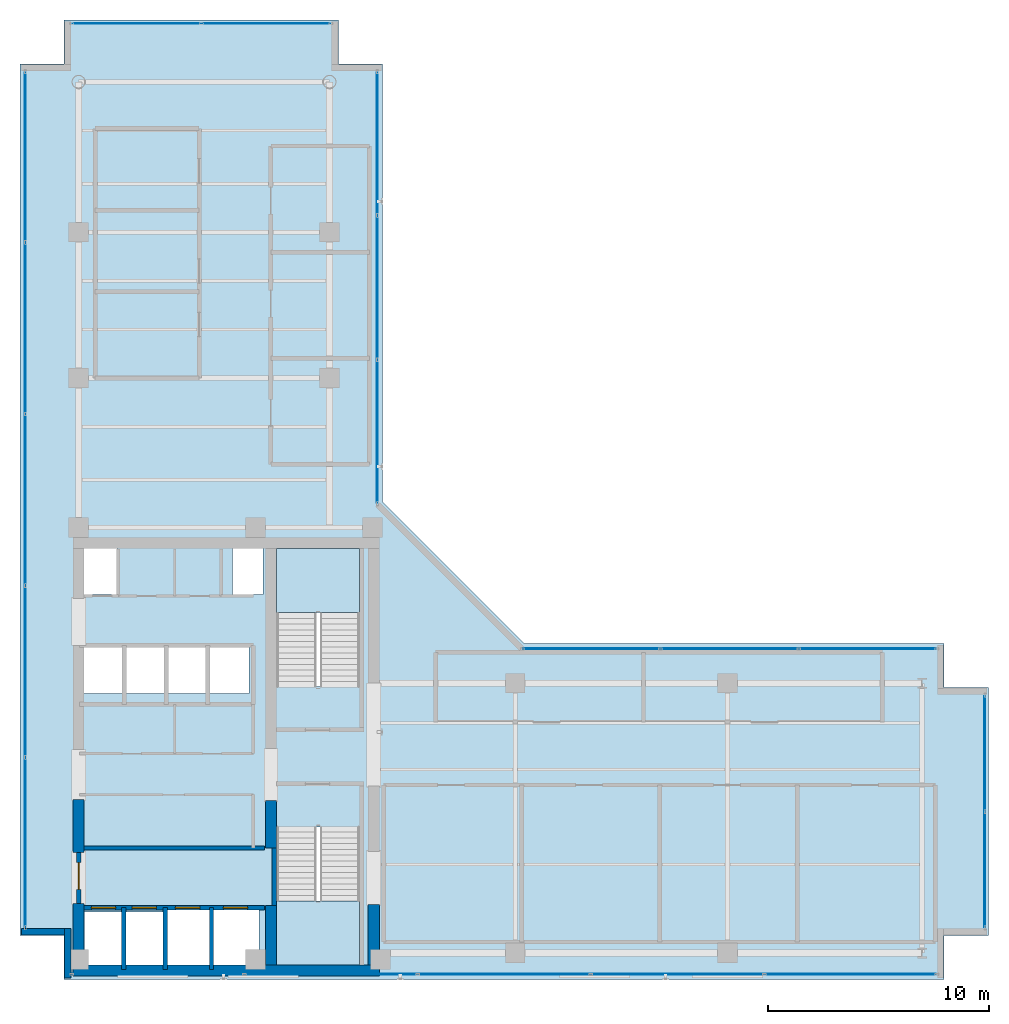
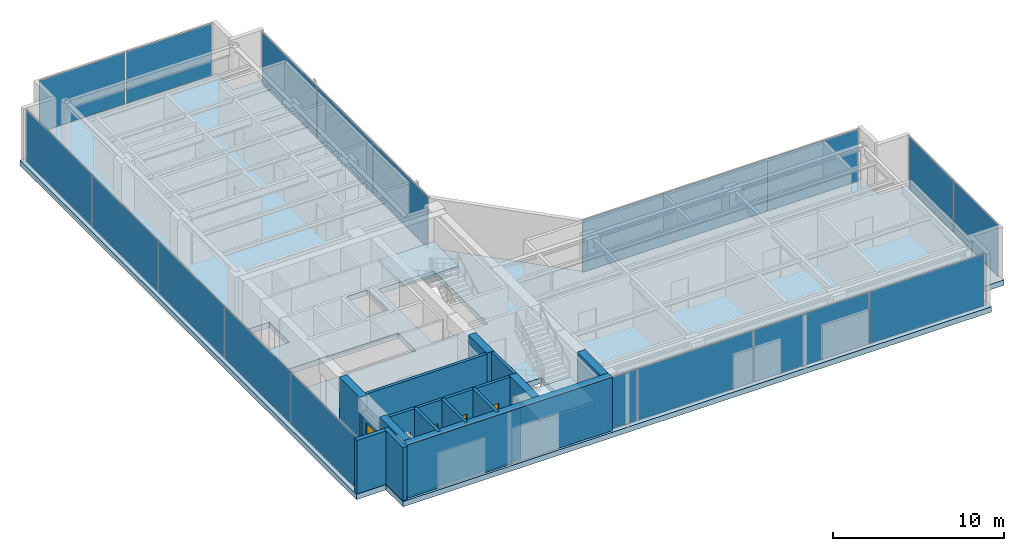
# One storey, part 19 of 24: 20 plates, 15 walls, 5 doors, 3 slabs, 5 openings, 8 elements without a shape of their own.
"""IFC4 building model written with IfcOpenShell, lengths in metres."""

from ifc_helpers import new_model, si_unit, direction, frame, frame_2d, origin, origin_with_axes, origin_2d, place, context, subcontext, project, spatial, polyline, rectangle, outline, extrude, source, transform, mapped, material, layer, layer_set, type_object, element, fill, aggregate, save


model = new_model("IFC4")

# Units and contexts
model_context = context("Model", 3, precision=1e-05, world=origin(), true_north=direction((0.0, 1.0)))
body_context = subcontext(model_context, "Body", "Model", "MODEL_VIEW")
ifc_project = project(units=[si_unit("LENGTHUNIT", "METRE"), si_unit("AREAUNIT", "SQUARE_METRE"), si_unit("VOLUMEUNIT", "CUBIC_METRE"), si_unit("PLANEANGLEUNIT", "RADIAN"), si_unit("MASSUNIT", "GRAM", prefix="KILO")], contexts=[model_context])

# Site, building, storey
site_placement = place(None, origin())
site = spatial("IfcSite", under=ifc_project, at=site_placement, CompositionType="ELEMENT")
building_placement = place(site_placement, origin())
building = spatial("IfcBuilding", under=site, at=building_placement, Name="Kolvaren Waterfront Exchange", CompositionType="ELEMENT")
storey_placement = place(building_placement, frame((0.0, 0.0, 356.199951171875)))
storey = spatial("IfcBuildingStorey", under=building, at=storey_placement, Name="L91", CompositionType="ELEMENT", Elevation=356.199951171875)

# Stair, slab
ifc_material_1 = material(Name="Concrete C40/50", Category="concrete")
stair_type = type_object("IfcStairType", Name="ARC-STAIR-4200", PredefinedType="HALF_TURN_STAIR", material=ifc_material_1)
stair_1_placement = place(storey_placement, origin())
stair_1 = element("IfcStair", 1, at=stair_1_placement, inside=storey, type_object=stair_type, Name="L91 Smoke-proof exit stair ST1", PredefinedType="HALF_TURN_STAIR")
ifc_layer_1 = layer(ifc_material_1, 0.199951171875, Name="Concrete C40/50")
ifc_layer_set_1 = layer_set([ifc_layer_1], Name="Concrete C40/50")
slab_type_1 = type_object("IfcSlabType", Name="STR-LANDING-200", PredefinedType="LANDING", material=ifc_layer_set_1)
slab_1_placement = place(storey_placement, frame((0.0, 0.0, 1.900146484375)))
slab_1 = element("IfcSlab", 2, at=slab_1_placement, type_object=slab_type_1, Name="ST1 landing 1", PredefinedType="LANDING", context=body_context, shape_type="SweptSolid", body=[
    extrude(outline(polyline([(16.39990234375, 7.550048828125), (16.39990234375, 4.64990234375), (20.159912109375, 4.64990234375), (20.159912109375, 7.550048828125), (16.39990234375, 7.550048828125)])), origin(), (0.0, 0.0, 1.0), 0.199951171875),
])
aggregate(stair_1, [slab_1])

stair_2_placement = place(storey_placement, origin())
stair_2 = element("IfcStair", 3, at=stair_2_placement, inside=storey, type_object=stair_type, Name="L91 Smoke-proof exit stair ST2", PredefinedType="HALF_TURN_STAIR")
slab_2_placement = place(storey_placement, frame((0.0, 0.0, 1.900146484375)))
slab_2 = element("IfcSlab", 4, at=slab_2_placement, type_object=slab_type_1, Name="ST2 landing 1", PredefinedType="LANDING", context=body_context, shape_type="SweptSolid", body=[
    extrude(outline(polyline([(20.159912109375, 20.60009765625), (20.159912109375, 23.5), (16.39990234375, 23.5), (16.39990234375, 20.60009765625), (20.159912109375, 20.60009765625)])), origin(), (0.0, 0.0, 1.0), 0.199951171875),
])
aggregate(stair_2, [slab_2])

# Slab
ifc_layer_2 = layer(ifc_material_1, 0.3798828125, Name="Concrete C40/50")
ifc_layer_set_2 = layer_set([ifc_layer_2], Name="Concrete C40/50")
slab_type_2 = type_object("IfcSlabType", Name="STR-SLAB-380", PredefinedType="FLOOR", material=ifc_layer_set_2)
slab_3_placement = place(storey_placement, frame((0.0, 0.0, -0.3798828125)))
element("IfcSlab", 5, at=slab_3_placement, inside=storey, type_object=slab_type_2, Name="L91 structural floor slab", PredefinedType="FLOOR", context=body_context, shape_type="SweptSolid", body=[
    extrude(outline(polyline([(6.800048828125, 4.0), (46.60009765625, 4.0), (46.60009765625, 6.0), (48.60009765625, 6.0), (48.60009765625, 17.199951171875), (46.60009765625, 17.199951171875), (46.60009765625, 19.199951171875), (27.60009765625, 19.199951171875), (21.199951171875, 25.60009765625), (21.199951171875, 45.39990234375), (19.199951171875, 45.39990234375), (19.199951171875, 47.39990234375), (6.800048828125, 47.39990234375), (6.800048828125, 45.39990234375), (4.800048828125, 45.39990234375), (4.800048828125, 6.0), (6.800048828125, 6.0), (6.800048828125, 4.0)]), holes=[polyline([(11.320068359375, 7.260009765625), (15.610107421875, 7.260009765625), (15.610107421875, 4.5400390625), (7.719970703125, 4.5400390625), (7.719970703125, 7.06005859375), (11.320068359375, 7.06005859375), (11.320068359375, 7.260009765625)]), polyline([(20.159912109375, 10.89990234375), (20.159912109375, 4.64990234375), (16.39990234375, 4.64990234375), (16.39990234375, 10.89990234375), (20.159912109375, 10.89990234375)]), polyline([(7.669921875, 19.06005859375), (15.159912109375, 19.06005859375), (15.159912109375, 16.93994140625), (7.669921875, 16.93994140625), (7.669921875, 19.06005859375)]), polyline([(16.39990234375, 17.25), (16.39990234375, 23.5), (20.159912109375, 23.5), (20.159912109375, 17.25), (16.39990234375, 17.25)]), polyline([(7.60009765625, 23.780029296875), (9.179931640625, 23.780029296875), (9.179931640625, 21.419921875), (7.60009765625, 21.419921875), (7.60009765625, 23.780029296875)]), polyline([(14.419921875, 23.780029296875), (15.800048828125, 23.780029296875), (15.800048828125, 21.419921875), (14.419921875, 21.419921875), (14.419921875, 23.780029296875)])]), origin(), (0.0, 0.0, 1.0), 0.3798828125),
])

# Curtain wall, plates
ifc_material_2 = material(Name="Anodised dark bronze spandrel aluminium", Category="aluminium")
ifc_layer_3 = layer(ifc_material_2, 0.219970703125, Name="Anodised dark bronze spandrel aluminium")
ifc_layer_set_3 = layer_set([ifc_layer_3], Name="Anodised dark bronze spandrel aluminium")
curtain_wall_type = type_object("IfcCurtainWallType", Name="ARC-CW-SYS6", PredefinedType="USERDEFINED", material=ifc_layer_set_3)
curtain_wall_1_placement = place(storey_placement, origin())
curtain_wall_1 = element("IfcCurtainWall", 6, at=curtain_wall_1_placement, inside=storey, type_object=curtain_wall_type, Name="L91 stick curtain wall CW6 (CW-L91-S)", ObjectType="STICK CURTAIN WALL", PredefinedType="USERDEFINED")
ifc_layer_4 = layer(ifc_material_2, 0.0419921875, Name="Anodised dark bronze spandrel aluminium")
ifc_layer_set_4 = layer_set([ifc_layer_4], Name="Anodised dark bronze spandrel aluminium")
plate_type = type_object("IfcPlateType", Name="ARC-CWP-42", PredefinedType="CURTAIN_PANEL", material=ifc_layer_set_4)
shared_shape_1 = source(origin_with_axes(), body_context, "Body", "SweptSolid", [
    extrude(rectangle(XDim=7.7275390625, YDim=0.0419921875, at=origin_2d()), origin(), (0.0, 0.0, 1.0), 3.68994140625),
])
plate_1_placement = place(storey_placement, frame((11.038818359375, 4.239990234375, 0.065185546875), z_axis=(0.0, 0.0, 1.0), x_axis=(1.0, 0.0, 0.0)))
plate_1 = element("IfcPlate", 7, at=plate_1_placement, type_object=plate_type, Name="CW6 panel 1.1", PredefinedType="CURTAIN_PANEL", context=body_context, shape_type="MappedRepresentation", body=[
    mapped(shared_shape_1, transform((0.0, 0.0, 0.0), x_axis=(1.0, 0.0, 0.0), y_axis=(0.0, 1.0, 0.0), z_axis=(0.0, 0.0, 1.0), scale=1.0)),
])
plate_2_placement = place(storey_placement, frame((42.361328125, 4.239990234375, 0.065185546875), z_axis=(0.0, 0.0, 1.0), x_axis=(1.0, 0.0, 0.0)))
plate_2 = element("IfcPlate", 8, at=plate_2_placement, type_object=plate_type, Name="CW6 panel 5.1", PredefinedType="CURTAIN_PANEL", context=body_context, shape_type="MappedRepresentation", body=[
    mapped(shared_shape_1, transform((0.0, 0.0, 0.0), x_axis=(1.0, 0.0, 0.0), y_axis=(0.0, 1.0, 0.0), z_axis=(0.0, 0.0, 1.0), scale=1.0)),
])
shared_shape_2 = source(origin_with_axes(), body_context, "Body", "SweptSolid", [
    extrude(rectangle(XDim=7.764892578125, YDim=0.0419921875, at=origin_2d()), origin(), (0.0, 0.0, 1.0), 3.68994140625),
])
plate_3_placement = place(storey_placement, frame((18.860107421875, 4.239990234375, 0.065185546875), z_axis=(0.0, 0.0, 1.0), x_axis=(1.0, 0.0, 0.0)))
plate_3 = element("IfcPlate", 9, at=plate_3_placement, type_object=plate_type, Name="CW6 panel 2.1", PredefinedType="CURTAIN_PANEL", context=body_context, shape_type="MappedRepresentation", body=[
    mapped(shared_shape_2, transform((0.0, 0.0, 0.0), x_axis=(1.0, 0.0, 0.0), y_axis=(0.0, 1.0, 0.0), z_axis=(0.0, 0.0, 1.0), scale=1.0)),
])
plate_4_placement = place(storey_placement, frame((26.699951171875, 4.239990234375, 0.065185546875), z_axis=(0.0, 0.0, 1.0), x_axis=(1.0, 0.0, 0.0)))
plate_4 = element("IfcPlate", 10, at=plate_4_placement, type_object=plate_type, Name="CW6 panel 3.1", PredefinedType="CURTAIN_PANEL", context=body_context, shape_type="MappedRepresentation", body=[
    mapped(shared_shape_2, transform((0.0, 0.0, 0.0), x_axis=(1.0, 0.0, 0.0), y_axis=(0.0, 1.0, 0.0), z_axis=(0.0, 0.0, 1.0), scale=1.0)),
])
plate_5_placement = place(storey_placement, frame((34.5400390625, 4.239990234375, 0.065185546875), z_axis=(0.0, 0.0, 1.0), x_axis=(1.0, 0.0, 0.0)))
plate_5 = element("IfcPlate", 11, at=plate_5_placement, type_object=plate_type, Name="CW6 panel 4.1", PredefinedType="CURTAIN_PANEL", context=body_context, shape_type="MappedRepresentation", body=[
    mapped(shared_shape_2, transform((0.0, 0.0, 0.0), x_axis=(1.0, 0.0, 0.0), y_axis=(0.0, 1.0, 0.0), z_axis=(0.0, 0.0, 1.0), scale=1.0)),
])
aggregate(curtain_wall_1, [plate_1, plate_3, plate_4, plate_5, plate_2])

curtain_wall_2_placement = place(storey_placement, origin())
curtain_wall_2 = element("IfcCurtainWall", 12, at=curtain_wall_2_placement, inside=storey, type_object=curtain_wall_type, Name="L91 stick curtain wall CW6 (CW-L91-W)", ObjectType="STICK CURTAIN WALL", PredefinedType="USERDEFINED")
shared_shape_3 = source(origin_with_axes(), body_context, "Body", "SweptSolid", [
    extrude(rectangle(XDim=7.6474609375, YDim=0.0419921875, at=origin_2d()), origin(), (0.0, 0.0, 1.0), 3.68994140625),
])
plate_6_placement = place(storey_placement, frame((5.0400390625, 10.19873046875, 0.065185546875), z_axis=(0.0, 0.0, 1.0), x_axis=(0.0, 1.0, 0.0)))
plate_6 = element("IfcPlate", 13, at=plate_6_placement, type_object=plate_type, Name="CW6 panel 1.1", PredefinedType="CURTAIN_PANEL", context=body_context, shape_type="MappedRepresentation", body=[
    mapped(shared_shape_3, transform((0.0, 0.0, 0.0), x_axis=(1.0, 0.0, 0.0), y_axis=(0.0, 1.0, 0.0), z_axis=(0.0, 0.0, 1.0), scale=1.0)),
])
plate_7_placement = place(storey_placement, frame((5.0400390625, 41.201171875, 0.065185546875), z_axis=(0.0, 0.0, 1.0), x_axis=(0.0, 1.0, 0.0)))
plate_7 = element("IfcPlate", 14, at=plate_7_placement, type_object=plate_type, Name="CW6 panel 5.1", PredefinedType="CURTAIN_PANEL", context=body_context, shape_type="MappedRepresentation", body=[
    mapped(shared_shape_3, transform((0.0, 0.0, 0.0), x_axis=(1.0, 0.0, 0.0), y_axis=(0.0, 1.0, 0.0), z_axis=(0.0, 0.0, 1.0), scale=1.0)),
])
shared_shape_4 = source(origin_with_axes(), body_context, "Body", "SweptSolid", [
    extrude(rectangle(XDim=7.68505859375, YDim=0.0419921875, at=origin_2d()), origin(), (0.0, 0.0, 1.0), 3.68994140625),
])
plate_8_placement = place(storey_placement, frame((5.0400390625, 17.93994140625, 0.065185546875), z_axis=(0.0, 0.0, 1.0), x_axis=(0.0, 1.0, 0.0)))
plate_8 = element("IfcPlate", 15, at=plate_8_placement, type_object=plate_type, Name="CW6 panel 2.1", PredefinedType="CURTAIN_PANEL", context=body_context, shape_type="MappedRepresentation", body=[
    mapped(shared_shape_4, transform((0.0, 0.0, 0.0), x_axis=(1.0, 0.0, 0.0), y_axis=(0.0, 1.0, 0.0), z_axis=(0.0, 0.0, 1.0), scale=1.0)),
])
plate_9_placement = place(storey_placement, frame((5.0400390625, 25.699951171875, 0.065185546875), z_axis=(0.0, 0.0, 1.0), x_axis=(0.0, 1.0, 0.0)))
plate_9 = element("IfcPlate", 16, at=plate_9_placement, type_object=plate_type, Name="CW6 panel 3.1", PredefinedType="CURTAIN_PANEL", context=body_context, shape_type="MappedRepresentation", body=[
    mapped(shared_shape_4, transform((0.0, 0.0, 0.0), x_axis=(1.0, 0.0, 0.0), y_axis=(0.0, 1.0, 0.0), z_axis=(0.0, 0.0, 1.0), scale=1.0)),
])
plate_10_placement = place(storey_placement, frame((5.0400390625, 33.4599609375, 0.065185546875), z_axis=(0.0, 0.0, 1.0), x_axis=(0.0, 1.0, 0.0)))
plate_10 = element("IfcPlate", 17, at=plate_10_placement, type_object=plate_type, Name="CW6 panel 4.1", PredefinedType="CURTAIN_PANEL", context=body_context, shape_type="MappedRepresentation", body=[
    mapped(shared_shape_4, transform((0.0, 0.0, 0.0), x_axis=(1.0, 0.0, 0.0), y_axis=(0.0, 1.0, 0.0), z_axis=(0.0, 0.0, 1.0), scale=1.0)),
])
aggregate(curtain_wall_2, [plate_6, plate_8, plate_9, plate_10, plate_7])

curtain_wall_3_placement = place(storey_placement, origin())
curtain_wall_3 = element("IfcCurtainWall", 18, at=curtain_wall_3_placement, inside=storey, type_object=curtain_wall_type, Name="L91 stick curtain wall CW6 (CW-L91-NE)", ObjectType="STICK CURTAIN WALL", PredefinedType="USERDEFINED")
shared_shape_5 = source(origin_with_axes(), body_context, "Body", "SweptSolid", [
    extrude(rectangle(XDim=6.424072265625, YDim=0.0419921875, at=origin_2d()), origin(), (0.0, 0.0, 1.0), 3.68994140625),
])
plate_11_placement = place(storey_placement, frame((20.9599609375, 28.777099609375, 0.065185546875), z_axis=(0.0, 0.0, 1.0), x_axis=(0.0, 1.0, 0.0)))
plate_11 = element("IfcPlate", 19, at=plate_11_placement, type_object=plate_type, Name="CW6 panel 1.1", PredefinedType="CURTAIN_PANEL", context=body_context, shape_type="MappedRepresentation", body=[
    mapped(shared_shape_5, transform((0.0, 0.0, 0.0), x_axis=(1.0, 0.0, 0.0), y_axis=(0.0, 1.0, 0.0), z_axis=(0.0, 0.0, 1.0), scale=1.0)),
])
plate_12_placement = place(storey_placement, frame((20.9599609375, 41.81298828125, 0.065185546875), z_axis=(0.0, 0.0, 1.0), x_axis=(0.0, 1.0, 0.0)))
plate_12 = element("IfcPlate", 20, at=plate_12_placement, type_object=plate_type, Name="CW6 panel 3.1", PredefinedType="CURTAIN_PANEL", context=body_context, shape_type="MappedRepresentation", body=[
    mapped(shared_shape_5, transform((0.0, 0.0, 0.0), x_axis=(1.0, 0.0, 0.0), y_axis=(0.0, 1.0, 0.0), z_axis=(0.0, 0.0, 1.0), scale=1.0)),
])
shared_shape_6 = source(origin_with_axes(), body_context, "Body", "SweptSolid", [
    extrude(rectangle(XDim=6.461669921875, YDim=0.0419921875, at=origin_2d()), origin(), (0.0, 0.0, 1.0), 3.68994140625),
])
plate_13_placement = place(storey_placement, frame((20.9599609375, 35.294921875, 0.065185546875), z_axis=(0.0, 0.0, 1.0), x_axis=(0.0, 1.0, 0.0)))
plate_13 = element("IfcPlate", 21, at=plate_13_placement, type_object=plate_type, Name="CW6 panel 2.1", PredefinedType="CURTAIN_PANEL", context=body_context, shape_type="MappedRepresentation", body=[
    mapped(shared_shape_6, transform((0.0, 0.0, 0.0), x_axis=(1.0, 0.0, 0.0), y_axis=(0.0, 1.0, 0.0), z_axis=(0.0, 0.0, 1.0), scale=1.0)),
])
aggregate(curtain_wall_3, [plate_11, plate_13, plate_12])

curtain_wall_4_placement = place(storey_placement, origin())
curtain_wall_4 = element("IfcCurtainWall", 22, at=curtain_wall_4_placement, inside=storey, type_object=curtain_wall_type, Name="L91 stick curtain wall CW6 (CW-L91-EN)", ObjectType="STICK CURTAIN WALL", PredefinedType="USERDEFINED")
shared_shape_7 = source(origin_with_axes(), body_context, "Body", "SweptSolid", [
    extrude(rectangle(XDim=6.157470703125, YDim=0.0419921875, at=origin_2d()), origin(), (0.0, 0.0, 1.0), 3.68994140625),
])
plate_14_placement = place(storey_placement, frame((30.643798828125, 18.9599609375, 0.065185546875), z_axis=(0.0, 0.0, 1.0), x_axis=(1.0, 0.0, 0.0)))
plate_14 = element("IfcPlate", 23, at=plate_14_placement, type_object=plate_type, Name="CW6 panel 1.1", PredefinedType="CURTAIN_PANEL", context=body_context, shape_type="MappedRepresentation", body=[
    mapped(shared_shape_7, transform((0.0, 0.0, 0.0), x_axis=(1.0, 0.0, 0.0), y_axis=(0.0, 1.0, 0.0), z_axis=(0.0, 0.0, 1.0), scale=1.0)),
])
plate_15_placement = place(storey_placement, frame((43.146240234375, 18.9599609375, 0.065185546875), z_axis=(0.0, 0.0, 1.0), x_axis=(1.0, 0.0, 0.0)))
plate_15 = element("IfcPlate", 24, at=plate_15_placement, type_object=plate_type, Name="CW6 panel 3.1", PredefinedType="CURTAIN_PANEL", context=body_context, shape_type="MappedRepresentation", body=[
    mapped(shared_shape_7, transform((0.0, 0.0, 0.0), x_axis=(1.0, 0.0, 0.0), y_axis=(0.0, 1.0, 0.0), z_axis=(0.0, 0.0, 1.0), scale=1.0)),
])
shared_shape_8 = source(origin_with_axes(), body_context, "Body", "SweptSolid", [
    extrude(rectangle(XDim=6.195068359375, YDim=0.0419921875, at=origin_2d()), origin(), (0.0, 0.0, 1.0), 3.68994140625),
])
plate_16_placement = place(storey_placement, frame((36.89501953125, 18.9599609375, 0.065185546875), z_axis=(0.0, 0.0, 1.0), x_axis=(1.0, 0.0, 0.0)))
plate_16 = element("IfcPlate", 25, at=plate_16_placement, type_object=plate_type, Name="CW6 panel 2.1", PredefinedType="CURTAIN_PANEL", context=body_context, shape_type="MappedRepresentation", body=[
    mapped(shared_shape_8, transform((0.0, 0.0, 0.0), x_axis=(1.0, 0.0, 0.0), y_axis=(0.0, 1.0, 0.0), z_axis=(0.0, 0.0, 1.0), scale=1.0)),
])
aggregate(curtain_wall_4, [plate_14, plate_16, plate_15])

curtain_wall_5_placement = place(storey_placement, origin())
curtain_wall_5 = element("IfcCurtainWall", 26, at=curtain_wall_5_placement, inside=storey, type_object=curtain_wall_type, Name="L91 stick curtain wall CW6 (CW-L91-ET)", ObjectType="STICK CURTAIN WALL", PredefinedType="USERDEFINED")
shared_shape_9 = source(origin_with_axes(), body_context, "Body", "SweptSolid", [
    extrude(rectangle(XDim=5.1875, YDim=0.0419921875, at=origin_2d()), origin(), (0.0, 0.0, 1.0), 3.68994140625),
])
plate_17_placement = place(storey_placement, frame((48.43994140625, 8.96875, 0.065185546875), z_axis=(0.0, 0.0, 1.0), x_axis=(0.0, 1.0, 0.0)))
plate_17 = element("IfcPlate", 27, at=plate_17_placement, type_object=plate_type, Name="CW6 panel 1.1", PredefinedType="CURTAIN_PANEL", context=body_context, shape_type="MappedRepresentation", body=[
    mapped(shared_shape_9, transform((0.0, 0.0, 0.0), x_axis=(1.0, 0.0, 0.0), y_axis=(0.0, 1.0, 0.0), z_axis=(0.0, 0.0, 1.0), scale=1.0)),
])
plate_18_placement = place(storey_placement, frame((48.43994140625, 14.231201171875, 0.065185546875), z_axis=(0.0, 0.0, 1.0), x_axis=(0.0, 1.0, 0.0)))
plate_18 = element("IfcPlate", 28, at=plate_18_placement, type_object=plate_type, Name="CW6 panel 2.1", PredefinedType="CURTAIN_PANEL", context=body_context, shape_type="MappedRepresentation", body=[
    mapped(shared_shape_9, transform((0.0, 0.0, 0.0), x_axis=(1.0, 0.0, 0.0), y_axis=(0.0, 1.0, 0.0), z_axis=(0.0, 0.0, 1.0), scale=1.0)),
])
aggregate(curtain_wall_5, [plate_17, plate_18])

curtain_wall_6_placement = place(storey_placement, origin())
curtain_wall_6 = element("IfcCurtainWall", 29, at=curtain_wall_6_placement, inside=storey, type_object=curtain_wall_type, Name="L91 stick curtain wall CW6 (CW-L91-NT)", ObjectType="STICK CURTAIN WALL", PredefinedType="USERDEFINED")
shared_shape_10 = source(origin_with_axes(), body_context, "Body", "SweptSolid", [
    extrude(rectangle(XDim=5.78759765625, YDim=0.0419921875, at=origin_2d()), origin(), (0.0, 0.0, 1.0), 3.68994140625),
])
plate_19_placement = place(storey_placement, frame((10.06884765625, 47.239990234375, 0.065185546875), z_axis=(0.0, 0.0, 1.0), x_axis=(1.0, 0.0, 0.0)))
plate_19 = element("IfcPlate", 30, at=plate_19_placement, type_object=plate_type, Name="CW6 panel 1.1", PredefinedType="CURTAIN_PANEL", context=body_context, shape_type="MappedRepresentation", body=[
    mapped(shared_shape_10, transform((0.0, 0.0, 0.0), x_axis=(1.0, 0.0, 0.0), y_axis=(0.0, 1.0, 0.0), z_axis=(0.0, 0.0, 1.0), scale=1.0)),
])
plate_20_placement = place(storey_placement, frame((15.93115234375, 47.239990234375, 0.065185546875), z_axis=(0.0, 0.0, 1.0), x_axis=(1.0, 0.0, 0.0)))
plate_20 = element("IfcPlate", 31, at=plate_20_placement, type_object=plate_type, Name="CW6 panel 2.1", PredefinedType="CURTAIN_PANEL", context=body_context, shape_type="MappedRepresentation", body=[
    mapped(shared_shape_10, transform((0.0, 0.0, 0.0), x_axis=(1.0, 0.0, 0.0), y_axis=(0.0, 1.0, 0.0), z_axis=(0.0, 0.0, 1.0), scale=1.0)),
])
aggregate(curtain_wall_6, [plate_19, plate_20])

# Walls
ifc_material_3 = material(Name="Precast concrete C40/50", Category="concrete")
ifc_layer_5 = layer(ifc_material_3, 0.280029296875, Name="Precast concrete C40/50")
ifc_layer_set_5 = layer_set([ifc_layer_5], Name="Precast concrete C40/50")
wall_type_1 = type_object("IfcWallType", Name="ARC-EXT-TERR-280", PredefinedType="SOLIDWALL", material=ifc_layer_set_5)
wall_1_placement = place(storey_placement, frame((6.9599609375, 4.06005859375, 0.0), z_axis=(0.0, 0.0, 1.0), x_axis=(0.0, 1.0, 0.0)))
element("IfcWall", 32, at=wall_1_placement, inside=storey, type_object=wall_type_1, Name="L91 notched corner spandrel pier SW-A", PredefinedType="SOLIDWALL", context=body_context, shape_type="SweptSolid", body=[
    extrude(rectangle(XDim=2.239990234375, YDim=0.280029296875, at=frame_2d((1.1201171875, 0.0))), origin(), (0.0, 0.0, 1.0), 3.820068359375),
])
wall_2_placement = place(storey_placement, frame((4.860107421875, 6.159912109375, 0.0), z_axis=(0.0, 0.0, 1.0), x_axis=(1.0, 0.0, 0.0)))
element("IfcWall", 33, at=wall_2_placement, inside=storey, type_object=wall_type_1, Name="L91 notched corner spandrel pier SW-B", PredefinedType="SOLIDWALL", context=body_context, shape_type="SweptSolid", body=[
    extrude(rectangle(XDim=1.9599609375, YDim=0.280029296875, at=frame_2d((0.97998046875, 0.0))), origin(), (0.0, 0.0, 1.0), 3.820068359375),
])
ifc_layer_6 = layer(ifc_material_3, 0.199951171875, Name="Precast concrete C40/50")
ifc_layer_set_6 = layer_set([ifc_layer_6], Name="Precast concrete C40/50")
wall_type_2 = type_object("IfcWallType", Name="ARC-FIRE-200", PredefinedType="PARTITIONING", material=ifc_layer_set_6)
wall_3_placement = place(storey_placement, frame((7.5, 9.949951171875, 0.0), z_axis=(0.0, 0.0, 1.0), x_axis=(1.0, 0.0, 0.0)))
element("IfcWall", 34, at=wall_3_placement, inside=storey, type_object=wall_type_2, Name="L91 interior wall PW-L91-FF-N", PredefinedType="PARTITIONING", context=body_context, shape_type="SweptSolid", body=[
    extrude(rectangle(XDim=8.35009765625, YDim=0.199951171875, at=frame_2d((4.175048828125, 0.0))), origin(), (0.0, 0.0, 1.0), 3.820068359375),
])

# Wall, opening, door
wall_4_placement = place(storey_placement, frame((7.449951171875, 7.449951171875, 0.0), z_axis=(0.0, 0.0, 1.0), x_axis=(0.0, 1.0, 0.0)))
wall_4 = element("IfcWall", 35, at=wall_4_placement, inside=storey, type_object=wall_type_2, Name="L91 interior wall PW-L91-FF-W-DOOR", PredefinedType="PARTITIONING", context=body_context, shape_type="SweptSolid", body=[
    extrude(rectangle(XDim=2.300048828125, YDim=0.199951171875, at=frame_2d((1.14990234375, 0.0))), origin(), (0.0, 0.0, 1.0), 2.800048828125),
])
opening_1_placement = place(wall_4_placement, frame((0.63330078125, 0.0, 0.0)))
opening_1 = element("IfcOpeningElement", 36, at=opening_1_placement, cuts=wall_4, Name="Opening FD3", PredefinedType="OPENING", context=body_context, shape_type="SweptSolid", body=[
    extrude(rectangle(XDim=1.199951171875, YDim=2.25, at=frame_2d((0.60009765625, 1.125))), frame((0.0, 0.10986328125, 0.0), z_axis=(0.0, -1.0, 0.0), x_axis=(1.0, 0.0, 0.0)), (0.0, 0.0, 1.0), 0.219970703125),
])
ifc_material_4 = material(Name="Pressed steel fire door", Category="steel")
door_type_1 = type_object("IfcDoorType", Name="ARC-FD-1200", OperationType="NOTDEFINED", PredefinedType="DOOR", material=ifc_material_4)
door_1_placement = place(opening_1_placement, frame((1.199951171875, 0.0, 0.0), z_axis=(0.0, 0.0, 1.0), x_axis=(-1.0, 0.0, 0.0)))
door_1 = element("IfcDoor", 37, at=door_1_placement, inside=storey, type_object=door_type_1, Name="L91 door DR-L91-FF-OUT (FD3)", OperationType="SINGLE_SWING_RIGHT", OverallHeight=2.25, OverallWidth=1.199951171875, PredefinedType="DOOR", context=body_context, shape_type="SweptSolid", body=[
    extrude(rectangle(XDim=1.199951171875, YDim=2.25, at=frame_2d((0.60009765625, 1.125))), frame((0.0, 0.02490234375, 0.0), z_axis=(0.0, -1.0, 0.0), x_axis=(1.0, 0.0, 0.0)), (0.0, 0.0, 1.0), 0.050048828125),
])
fill(opening_1, door_1)

# Wall
ifc_layer_7 = layer(ifc_material_1, 0.199951171875, Name="Concrete C40/50")
ifc_layer_set_7 = layer_set([ifc_layer_7], Name="Concrete C40/50")
wall_type_3 = type_object("IfcWallType", Name="ARC-SHAFT-200", PredefinedType="PARTITIONING", material=ifc_layer_set_7)
wall_5_placement = place(storey_placement, frame((16.300048828125, 7.360107421875, 0.0), z_axis=(0.0, 0.0, 1.0), x_axis=(0.0, 1.0, 0.0)))
element("IfcWall", 38, at=wall_5_placement, inside=storey, type_object=wall_type_3, Name="L91 structural stairwell wall PW-L91-ST1-W", PredefinedType="SHEAR", context=body_context, shape_type="SweptSolid", body=[
    extrude(rectangle(XDim=2.579833984375, YDim=0.199951171875, at=frame_2d((1.2900390625, 0.0))), origin(), (0.0, 0.0, 1.0), 3.820068359375),
])

# Wall, openings, doors
wall_6_placement = place(storey_placement, frame((7.5, 7.25, 0.0), z_axis=(0.0, 0.0, 1.0), x_axis=(1.0, 0.0, 0.0)))
wall_6 = element("IfcWall", 39, at=wall_6_placement, inside=storey, type_object=wall_type_3, Name="L91 interior wall PW-L91-FF-S", PredefinedType="PARTITIONING", context=body_context, shape_type="SweptSolid", body=[
    extrude(rectangle(XDim=8.35009765625, YDim=0.199951171875, at=frame_2d((4.175048828125, 0.0))), origin(), (0.0, 0.0, 1.0), 3.820068359375),
])
opening_2_placement = place(wall_6_placement, frame((0.530029296875, 0.0, 0.0)))
opening_2 = element("IfcOpeningElement", 40, at=opening_2_placement, cuts=wall_6, Name="Opening LD1", PredefinedType="OPENING", context=body_context, shape_type="SweptSolid", body=[
    extrude(rectangle(XDim=1.10009765625, YDim=2.199951171875, at=frame_2d((0.550048828125, 1.10009765625))), frame((0.0, 0.10986328125, 0.0), z_axis=(0.0, -1.0, 0.0), x_axis=(1.0, 0.0, 0.0)), (0.0, 0.0, 1.0), 0.219970703125),
])
opening_3_placement = place(wall_6_placement, frame((2.3701171875, 0.0, 0.0)))
opening_3 = element("IfcOpeningElement", 41, at=opening_3_placement, cuts=wall_6, Name="Opening LD1", PredefinedType="OPENING", context=body_context, shape_type="SweptSolid", body=[
    extrude(rectangle(XDim=1.10009765625, YDim=2.199951171875, at=frame_2d((0.550048828125, 1.10009765625))), frame((0.0, 0.10986328125, 0.0), z_axis=(0.0, -1.0, 0.0), x_axis=(1.0, 0.0, 0.0)), (0.0, 0.0, 1.0), 0.219970703125),
])
opening_4_placement = place(wall_6_placement, frame((4.330078125, 0.0, 0.0)))
opening_4 = element("IfcOpeningElement", 42, at=opening_4_placement, cuts=wall_6, Name="Opening LD1", PredefinedType="OPENING", context=body_context, shape_type="SweptSolid", body=[
    extrude(rectangle(XDim=1.10009765625, YDim=2.199951171875, at=frame_2d((0.550048828125, 1.10009765625))), frame((0.0, 0.10986328125, 0.0), z_axis=(0.0, -1.0, 0.0), x_axis=(1.0, 0.0, 0.0)), (0.0, 0.0, 1.0), 0.219970703125),
])
opening_5_placement = place(wall_6_placement, frame((6.5, 0.0, 0.0)))
opening_5 = element("IfcOpeningElement", 43, at=opening_5_placement, cuts=wall_6, Name="Opening LD1", PredefinedType="OPENING", context=body_context, shape_type="SweptSolid", body=[
    extrude(rectangle(XDim=1.10009765625, YDim=2.199951171875, at=frame_2d((0.550048828125, 1.10009765625))), frame((0.0, 0.10986328125, 0.0), z_axis=(0.0, -1.0, 0.0), x_axis=(1.0, 0.0, 0.0)), (0.0, 0.0, 1.0), 0.219970703125),
])
ifc_material_5 = material(Name="Stainless steel sliding landing door", Category="steel")
door_type_2 = type_object("IfcDoorType", Name="ARC-LD-FF", OperationType="SLIDING_TO_LEFT", PredefinedType="DOOR", material=ifc_material_5)
door_2_placement = place(opening_2_placement, origin())
door_2 = element("IfcDoor", 44, at=door_2_placement, inside=storey, type_object=door_type_2, Name="L91 door LD-L91-FFL1 (LD1)", OperationType="SLIDING_TO_LEFT", OverallHeight=2.199951171875, OverallWidth=1.10009765625, PredefinedType="DOOR", context=body_context, shape_type="SweptSolid", body=[
    extrude(rectangle(XDim=1.10009765625, YDim=2.199951171875, at=frame_2d((0.550048828125, 1.10009765625))), frame((0.0, 0.02490234375, 0.0), z_axis=(0.0, -1.0, 0.0), x_axis=(1.0, 0.0, 0.0)), (0.0, 0.0, 1.0), 0.050048828125),
])
fill(opening_2, door_2)
door_3_placement = place(opening_3_placement, origin())
door_3 = element("IfcDoor", 45, at=door_3_placement, inside=storey, type_object=door_type_2, Name="L91 door LD-L91-FFL2 (LD1)", OperationType="SLIDING_TO_LEFT", OverallHeight=2.199951171875, OverallWidth=1.10009765625, PredefinedType="DOOR", context=body_context, shape_type="SweptSolid", body=[
    extrude(rectangle(XDim=1.10009765625, YDim=2.199951171875, at=frame_2d((0.550048828125, 1.10009765625))), frame((0.0, 0.02490234375, 0.0), z_axis=(0.0, -1.0, 0.0), x_axis=(1.0, 0.0, 0.0)), (0.0, 0.0, 1.0), 0.050048828125),
])
fill(opening_3, door_3)
door_4_placement = place(opening_4_placement, origin())
door_4 = element("IfcDoor", 46, at=door_4_placement, inside=storey, type_object=door_type_2, Name="L91 door LD-L91-GL1 (LD1)", OperationType="SLIDING_TO_LEFT", OverallHeight=2.199951171875, OverallWidth=1.10009765625, PredefinedType="DOOR", context=body_context, shape_type="SweptSolid", body=[
    extrude(rectangle(XDim=1.10009765625, YDim=2.199951171875, at=frame_2d((0.550048828125, 1.10009765625))), frame((0.0, 0.02490234375, 0.0), z_axis=(0.0, -1.0, 0.0), x_axis=(1.0, 0.0, 0.0)), (0.0, 0.0, 1.0), 0.050048828125),
])
fill(opening_4, door_4)
door_5_placement = place(opening_5_placement, origin())
door_5 = element("IfcDoor", 47, at=door_5_placement, inside=storey, type_object=door_type_2, Name="L91 door LD-L91-GL2 (LD1)", OperationType="SLIDING_TO_LEFT", OverallHeight=2.199951171875, OverallWidth=1.10009765625, PredefinedType="DOOR", context=body_context, shape_type="SweptSolid", body=[
    extrude(rectangle(XDim=1.10009765625, YDim=2.199951171875, at=frame_2d((0.550048828125, 1.10009765625))), frame((0.0, 0.02490234375, 0.0), z_axis=(0.0, -1.0, 0.0), x_axis=(1.0, 0.0, 0.0)), (0.0, 0.0, 1.0), 0.050048828125),
])
fill(opening_5, door_5)

# Walls
for number, where, z_axis, x_axis, name in (
    (48, (9.5, 4.449951171875, 0.0), (0.0, 0.0, 1.0), (0.0, 1.0, 0.0), "L91 interior wall PW-L91-SH1-DIV-95"),
    (49, (11.360107421875, 4.449951171875, 0.0), (0.0, 0.0, 1.0), (0.0, 1.0, 0.0), "L91 interior wall PW-L91-SH1-DIV-113"),
    (50, (13.4599609375, 4.449951171875, 0.0), (0.0, 0.0, 1.0), (0.0, 1.0, 0.0), "L91 interior wall PW-L91-SH1-DIV-134"),
):
    element("IfcWall", number, at=place(storey_placement, frame(where, z_axis=z_axis, x_axis=x_axis)), inside=storey, type_object=wall_type_3, Name=name, PredefinedType="PARTITIONING", context=body_context, shape_type="SweptSolid", body=[
        extrude(rectangle(XDim=2.800048828125, YDim=0.199951171875, at=frame_2d((1.39990234375, 0.0))), origin(), (0.0, 0.0, 1.0), 3.820068359375),
    ])
ifc_material_6 = material(Name="Concrete C50/60", Category="concrete")
ifc_layer_8 = layer(ifc_material_6, 0.5, Name="Concrete C50/60")
ifc_layer_set_8 = layer_set([ifc_layer_8], Name="Concrete C50/60")
wall_type_4 = type_object("IfcWallType", Name="STR-CWALL-500", PredefinedType="SHEAR", material=ifc_layer_set_8)
wall_7_placement = place(storey_placement, frame((7.199951171875, 4.39990234375, 0.0), z_axis=(0.0, 0.0, 1.0), x_axis=(1.0, 0.0, 0.0)))
element("IfcWall", 51, at=wall_7_placement, inside=storey, type_object=wall_type_4, Name="L91 rear-core shear wall S", PredefinedType="SHEAR", context=body_context, shape_type="SweptSolid", body=[
    extrude(rectangle(XDim=13.85009765625, YDim=0.5, at=frame_2d((6.925048828125, 0.0))), origin(), (0.0, 0.0, 1.0), 3.820068359375),
])
wall_8_placement = place(storey_placement, frame((7.449951171875, 4.64990234375, 0.0), z_axis=(0.0, 0.0, 1.0), x_axis=(0.0, 1.0, 0.0)))
element("IfcWall", 52, at=wall_8_placement, inside=storey, type_object=wall_type_4, Name="L91 rear-core shear wall W1", PredefinedType="SHEAR", context=body_context, shape_type="SweptSolid", body=[
    extrude(rectangle(XDim=2.800048828125, YDim=0.5, at=frame_2d((1.39990234375, 0.0))), origin(), (0.0, 0.0, 1.0), 3.820068359375),
])
wall_9_placement = place(storey_placement, frame((7.449951171875, 9.75, 0.0), z_axis=(0.0, 0.0, 1.0), x_axis=(0.0, 1.0, 0.0)))
element("IfcWall", 53, at=wall_9_placement, inside=storey, type_object=wall_type_4, Name="L91 rear-core shear wall W2A", PredefinedType="SHEAR", context=body_context, shape_type="SweptSolid", body=[
    extrude(rectangle(XDim=2.39990234375, YDim=0.5, at=frame_2d((1.199951171875, 0.0))), origin(), (0.0, 0.0, 1.0), 3.820068359375),
])
wall_10_placement = place(storey_placement, frame((20.800048828125, 4.64990234375, 0.0), z_axis=(0.0, 0.0, 1.0), x_axis=(0.0, 1.0, 0.0)))
element("IfcWall", 54, at=wall_10_placement, inside=storey, type_object=wall_type_4, Name="L91 rear-core shear wall E1", PredefinedType="SHEAR", context=body_context, shape_type="SweptSolid", body=[
    extrude(rectangle(XDim=2.75, YDim=0.5, at=frame_2d((1.375, 0.0))), origin(), (0.0, 0.0, 1.0), 3.820068359375),
])
wall_11_placement = place(storey_placement, frame((16.14990234375, 4.64990234375, 0.0), z_axis=(0.0, 0.0, 1.0), x_axis=(0.0, 1.0, 0.0)))
element("IfcWall", 55, at=wall_11_placement, inside=storey, type_object=wall_type_4, Name="L91 rear-core shear wall M1", PredefinedType="SHEAR", context=body_context, shape_type="SweptSolid", body=[
    extrude(rectangle(XDim=2.7001953125, YDim=0.5, at=frame_2d((1.35009765625, 0.0))), origin(), (0.0, 0.0, 1.0), 3.820068359375),
])
wall_12_placement = place(storey_placement, frame((16.14990234375, 9.949951171875, 0.0), z_axis=(0.0, 0.0, 1.0), x_axis=(0.0, 1.0, 0.0)))
element("IfcWall", 56, at=wall_12_placement, inside=storey, type_object=wall_type_4, Name="L91 rear-core shear wall M2", PredefinedType="SHEAR", context=body_context, shape_type="SweptSolid", body=[
    extrude(rectangle(XDim=2.150146484375, YDim=0.5, at=frame_2d((1.0751953125, 0.0))), origin(), (0.0, 0.0, 1.0), 3.820068359375),
])

save(model, "model.ifc")
